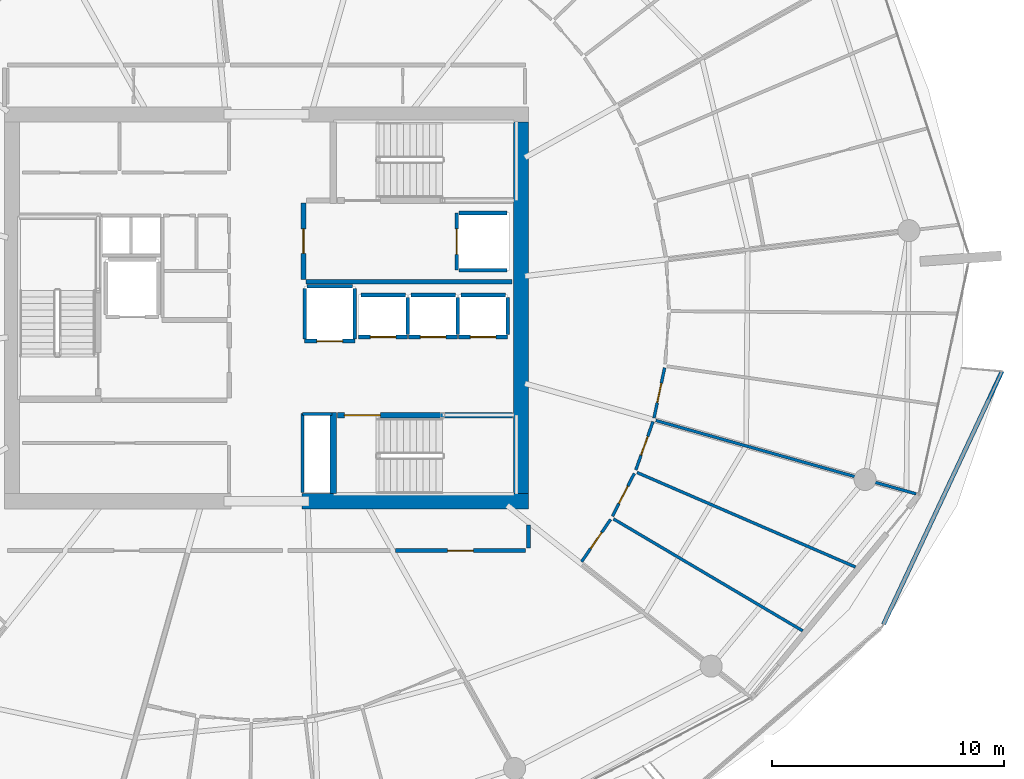
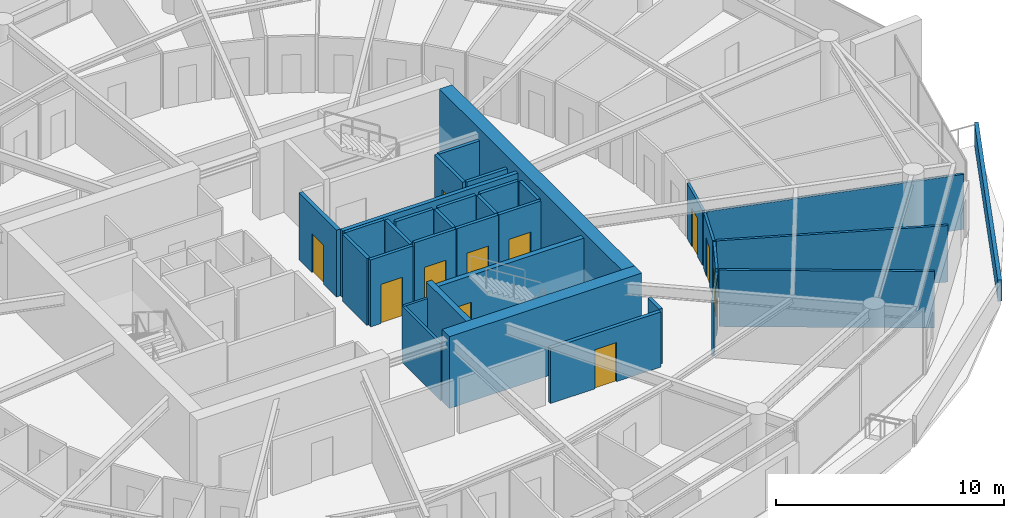
# One storey, part 20 of 30: 34 walls, 12 doors, 12 openings.
"""IFC4 building model written with IfcOpenShell, lengths in metres."""

from ifc_helpers import new_model, si_unit, direction, frame, frame_2d, origin, place, context, subcontext, project, spatial, polyline, rectangle, outline, extrude, material, layer, layer_set, type_object, element, fill, save


model = new_model("IFC4")

# Units and contexts
model_context = context("Model", 3, precision=1e-05, world=origin(), true_north=direction((0.0, 1.0)))
body_context = subcontext(model_context, "Body", "Model", "MODEL_VIEW")
ifc_project = project(units=[si_unit("LENGTHUNIT", "METRE"), si_unit("AREAUNIT", "SQUARE_METRE"), si_unit("VOLUMEUNIT", "CUBIC_METRE"), si_unit("PLANEANGLEUNIT", "RADIAN"), si_unit("MASSUNIT", "GRAM", prefix="KILO")], contexts=[model_context])

# Site, building, storey
site_placement = place(None, origin())
site = spatial("IfcSite", under=ifc_project, at=site_placement, CompositionType="ELEMENT")
building_placement = place(site_placement, origin())
building = spatial("IfcBuilding", under=site, at=building_placement, Name="Kazma Halo Residences", CompositionType="ELEMENT")
storey_placement = place(building_placement, frame((0.0, 0.0, 263.64990234375)))
storey = spatial("IfcBuildingStorey", under=building, at=storey_placement, Name="L66", CompositionType="ELEMENT", Elevation=263.64990234375)

# Walls
ifc_material_1 = material(Name="White Concrete C50/60 Balustrade", Category="concrete")
ifc_layer_1 = layer(ifc_material_1, 0.179931640625)
ifc_layer_set_1 = layer_set([ifc_layer_1], Name="White Concrete C50/60 Balustrade")
wall_type_1 = type_object("IfcWallType", Name="WL-BAL-WAVE-180", PredefinedType="PARAPET", material=ifc_layer_set_1)
wall_1_placement = place(storey_placement, frame((74.98779296875, 28.3837890625, 0.0), z_axis=(0.0, 0.0, 1.0), x_axis=(0.424181665689, 0.905577116812, 0.0)))
element("IfcWall", 1, at=wall_1_placement, inside=storey, type_object=wall_type_1, Name="L66 white wave balustrade wall SE.2", PredefinedType="PARAPET", context=body_context, shape_type="SweptSolid", body=[
    extrude(outline(polyline([(0.0, 0.0), (12.029052734375, 0.0), (12.029296875, 1.22412109375), (6.0146484375, 1.127197265625), (0.0, 1.148193359375), (0.0, 0.0)])), frame((0.0, 0.08984375, 0.0), z_axis=(0.0, -1.0, 0.0), x_axis=(1.0, 0.0, 0.0)), (0.0, 0.0, 1.0), 0.179931640625),
])
ifc_material_2 = material(Name="Concrete C60/75", Category="concrete")
ifc_layer_2 = layer(ifc_material_2, 0.64990234375)
ifc_layer_set_2 = layer_set([ifc_layer_2], Name="Concrete C60/75")
wall_type_2 = type_object("IfcWallType", Name="WL-CORE-650", PredefinedType="SHEAR", material=ifc_layer_set_2)
wall_2_placement = place(storey_placement, frame((49.949951171875, 33.675048828125, 0.0), z_axis=(0.0, 0.0, 1.0), x_axis=(1.0, 0.0, 0.0)))
element("IfcWall", 2, at=wall_2_placement, inside=storey, type_object=wall_type_2, Name="L66 central core shear wall SE", PredefinedType="SHEAR", context=body_context, shape_type="SweptSolid", body=[
    extrude(rectangle(XDim=9.75, YDim=0.64990234375, at=frame_2d((4.875, 0.0))), origin(), (0.0, 0.0, 1.0), 3.85009765625),
])
wall_3_placement = place(storey_placement, frame((59.375, 34.0, 0.0), z_axis=(0.0, 0.0, 1.0), x_axis=(0.0, 1.0, 0.0)))
element("IfcWall", 3, at=wall_3_placement, inside=storey, type_object=wall_type_2, Name="L66 central core shear wall E", PredefinedType="SHEAR", context=body_context, shape_type="SweptSolid", body=[
    extrude(rectangle(XDim=16.0, YDim=0.64990234375, at=frame_2d((8.0, 0.0))), origin(), (0.0, 0.0, 1.0), 3.85009765625),
])
ifc_layer_3 = layer(ifc_material_2, 0.280029296875)
ifc_layer_set_3 = layer_set([ifc_layer_3], Name="Concrete C60/75")
wall_type_3 = type_object("IfcWallType", Name="WL-CORE-ST-280", PredefinedType="SHEAR", material=ifc_layer_set_3)
wall_4_placement = place(storey_placement, frame((51.31005859375, 34.0, 0.0), z_axis=(0.0, 0.0, 1.0), x_axis=(0.0, 1.0, 0.0)))
element("IfcWall", 4, at=wall_4_placement, inside=storey, type_object=wall_type_3, Name="L66 stairwell bearing wall ST03-W", PredefinedType="SHEAR", context=body_context, shape_type="SweptSolid", body=[
    extrude(rectangle(XDim=3.5, YDim=0.280029296875, at=frame_2d((1.75, 0.0))), origin(), (0.0, 0.0, 1.0), 3.85009765625),
])

# Wall, opening, door
ifc_material_3 = material(Name="Acoustic Twin-Stud Gypsum")
ifc_layer_4 = layer(ifc_material_3, 0.179931640625)
ifc_layer_set_4 = layer_set([ifc_layer_4], Name="Acoustic Twin-Stud Gypsum")
wall_type_4 = type_object("IfcWallType", Name="WL-DEM-180", PredefinedType="PARTITIONING", material=ifc_layer_set_4)
wall_5_placement = place(storey_placement, frame((53.972412109375, 31.550048828125, 0.0), z_axis=(0.0, 0.0, 1.0), x_axis=(1.0, 0.0, 0.0)))
wall_5 = element("IfcWall", 5, at=wall_5_placement, inside=storey, type_object=wall_type_4, Name="L66 Apartment 2 entrance corridor wall", PredefinedType="PARTITIONING", context=body_context, shape_type="SweptSolid", body=[
    extrude(rectangle(XDim=5.607666015625, YDim=0.179931640625, at=frame_2d((2.8037109375, 0.0))), origin(), (0.0, 0.0, 1.0), 2.95703125),
])
opening_1_placement = place(wall_5_placement, frame((2.25390625, 0.0, 0.0)))
opening_1 = element("IfcOpeningElement", 6, at=opening_1_placement, cuts=wall_5, Name="Opening DA-1100", PredefinedType="OPENING", context=body_context, shape_type="SweptSolid", body=[
    extrude(rectangle(XDim=1.10009765625, YDim=2.10009765625, at=frame_2d((0.550048828125, 1.050048828125))), frame((0.0, 0.099853515625, 0.0), z_axis=(0.0, -1.0, 0.0), x_axis=(1.0, 0.0, 0.0)), (0.0, 0.0, 1.0), 0.199951171875),
])
ifc_material_4 = material(Name="Acoustic Walnut Fire Leaf")
door_type_1 = type_object("IfcDoorType", Name="DR-FD60-1100", OperationType="NOTDEFINED", PredefinedType="DOOR", material=ifc_material_4)
door_1_placement = place(opening_1_placement, origin())
door_1 = element("IfcDoor", 7, at=door_1_placement, inside=storey, type_object=door_type_1, Name="L66 Apartment 2 entrance fire door", OperationType="SINGLE_SWING_LEFT", OverallHeight=2.10009765625, OverallWidth=1.10009765625, PredefinedType="DOOR", context=body_context, shape_type="SweptSolid", body=[
    extrude(rectangle(XDim=1.10009765625, YDim=2.10009765625, at=frame_2d((0.550048828125, 1.050048828125))), frame((0.0, 0.02490234375, 0.0), z_axis=(0.0, -1.0, 0.0), x_axis=(1.0, 0.0, 0.0)), (0.0, 0.0, 1.0), 0.050048828125),
])
fill(opening_1, door_1)

# Wall
wall_6_placement = place(storey_placement, frame((59.699951171875, 31.669921875, 0.0), z_axis=(0.0, 0.0, 1.0), x_axis=(0.0, 1.0, 0.0)))
element("IfcWall", 8, at=wall_6_placement, inside=storey, type_object=wall_type_4, Name="L66 Apartment 2 entrance corridor wall", PredefinedType="PARTITIONING", context=body_context, shape_type="SweptSolid", body=[
    extrude(rectangle(XDim=0.986572265625, YDim=0.179931640625, at=frame_2d((0.4931640625, 0.0))), origin(), (0.0, 0.0, 1.0), 2.95703125),
])

# Wall, opening, door
ifc_material_5 = material(Name="Fire-Rated Blockwork Masonry", Category="masonry")
ifc_layer_5 = layer(ifc_material_5, 0.199951171875)
ifc_layer_set_5 = layer_set([ifc_layer_5], Name="Fire-Rated Blockwork Masonry")
wall_type_5 = type_object("IfcWallType", Name="WL-FLB-200", PredefinedType="PARTITIONING", material=ifc_layer_set_5)
wall_7_placement = place(storey_placement, frame((54.5048828125, 40.7451171875, 0.0), z_axis=(0.0, 0.0, 1.0), x_axis=(-1.0, 0.0, 0.0)))
wall_7 = element("IfcWall", 9, at=wall_7_placement, inside=storey, type_object=wall_type_5, Name="L66 lift shaft PH-01 front wall", PredefinedType="PARTITIONING", context=body_context, shape_type="SweptSolid", body=[
    extrude(rectangle(XDim=2.10986328125, YDim=0.159912109375, at=frame_2d((1.054931640625, 0.0))), origin(), (0.0, 0.0, 1.0), 3.590087890625),
])
opening_2_placement = place(wall_7_placement, frame((0.5048828125, 0.0, 0.0)))
opening_2 = element("IfcOpeningElement", 10, at=opening_2_placement, cuts=wall_7, Name="Opening LD-PH-01", PredefinedType="OPENING", context=body_context, shape_type="SweptSolid", body=[
    extrude(rectangle(XDim=1.10009765625, YDim=2.10009765625, at=frame_2d((0.550048828125, 1.050048828125))), frame((0.0, 0.08984375, 0.0), z_axis=(0.0, -1.0, 0.0), x_axis=(1.0, 0.0, 0.0)), (0.0, 0.0, 1.0), 0.179931640625),
])
ifc_material_6 = material(Name="Stainless Steel Fire-Rated", Category="steel")
door_type_2 = type_object("IfcDoorType", Name="DR-LIFT-SLD-1100", OperationType="DOUBLE_DOOR_SLIDING", PredefinedType="DOOR", material=ifc_material_6)
door_2_placement = place(opening_2_placement, origin())
door_2 = element("IfcDoor", 11, at=door_2_placement, inside=storey, type_object=door_type_2, Name="L66 lift PH-01 sliding landing door", OperationType="DOUBLE_DOOR_SLIDING", OverallHeight=2.10009765625, OverallWidth=1.10009765625, PredefinedType="DOOR", context=body_context, shape_type="SweptSolid", body=[
    extrude(rectangle(XDim=1.10009765625, YDim=2.10009765625, at=frame_2d((0.550048828125, 1.050048828125))), frame((0.0, 0.02490234375, 0.0), z_axis=(0.0, -1.0, 0.0), x_axis=(1.0, 0.0, 0.0)), (0.0, 0.0, 1.0), 0.050048828125),
])
fill(opening_2, door_2)

# Walls
wall_8_placement = place(storey_placement, frame((54.5048828125, 40.844970703125, 0.0), z_axis=(0.0, 0.0, 1.0), x_axis=(0.0, 1.0, 0.0)))
element("IfcWall", 12, at=wall_8_placement, inside=storey, type_object=wall_type_5, Name="L66 lift shaft PH-01 side wall E", PredefinedType="PARTITIONING", context=body_context, shape_type="SweptSolid", body=[
    extrude(rectangle(XDim=1.610107421875, YDim=0.159912109375, at=frame_2d((0.80517578125, 0.0))), origin(), (0.0, 0.0, 1.0), 3.590087890625),
])
wall_9_placement = place(storey_placement, frame((52.4951171875, 42.554931640625, 0.0), z_axis=(0.0, 0.0, 1.0), x_axis=(1.0, 0.0, 0.0)))
element("IfcWall", 13, at=wall_9_placement, inside=storey, type_object=wall_type_5, Name="L66 lift shaft PH-01 side wall N", PredefinedType="PARTITIONING", context=body_context, shape_type="SweptSolid", body=[
    extrude(rectangle(XDim=1.909912109375, YDim=0.159912109375, at=frame_2d((0.955078125, 0.0))), origin(), (0.0, 0.0, 1.0), 3.590087890625),
])

# Wall, opening, door
wall_10_placement = place(storey_placement, frame((56.655029296875, 40.7451171875, 0.0), z_axis=(0.0, 0.0, 1.0), x_axis=(-1.0, 0.0, 0.0)))
wall_10 = element("IfcWall", 14, at=wall_10_placement, inside=storey, type_object=wall_type_5, Name="L66 lift shaft PH-02 front wall", PredefinedType="PARTITIONING", context=body_context, shape_type="SweptSolid", body=[
    extrude(rectangle(XDim=2.110107421875, YDim=0.159912109375, at=frame_2d((1.05517578125, 0.0))), origin(), (0.0, 0.0, 1.0), 3.590087890625),
])
opening_3_placement = place(wall_10_placement, frame((0.5048828125, 0.0, 0.0)))
opening_3 = element("IfcOpeningElement", 15, at=opening_3_placement, cuts=wall_10, Name="Opening LD-PH-02", PredefinedType="OPENING", context=body_context, shape_type="SweptSolid", body=[
    extrude(rectangle(XDim=1.10009765625, YDim=2.10009765625, at=frame_2d((0.550048828125, 1.050048828125))), frame((0.0, 0.08984375, 0.0), z_axis=(0.0, -1.0, 0.0), x_axis=(1.0, 0.0, 0.0)), (0.0, 0.0, 1.0), 0.179931640625),
])
door_3_placement = place(opening_3_placement, origin())
door_3 = element("IfcDoor", 16, at=door_3_placement, inside=storey, type_object=door_type_2, Name="L66 lift PH-02 sliding landing door", OperationType="DOUBLE_DOOR_SLIDING", OverallHeight=2.10009765625, OverallWidth=1.10009765625, PredefinedType="DOOR", context=body_context, shape_type="SweptSolid", body=[
    extrude(rectangle(XDim=1.10009765625, YDim=2.10009765625, at=frame_2d((0.550048828125, 1.050048828125))), frame((0.0, 0.02490234375, 0.0), z_axis=(0.0, -1.0, 0.0), x_axis=(1.0, 0.0, 0.0)), (0.0, 0.0, 1.0), 0.050048828125),
])
fill(opening_3, door_3)

# Walls
wall_11_placement = place(storey_placement, frame((56.655029296875, 40.844970703125, 0.0), z_axis=(0.0, 0.0, 1.0), x_axis=(0.0, 1.0, 0.0)))
element("IfcWall", 17, at=wall_11_placement, inside=storey, type_object=wall_type_5, Name="L66 lift shaft PH-02 side wall E", PredefinedType="PARTITIONING", context=body_context, shape_type="SweptSolid", body=[
    extrude(rectangle(XDim=1.610107421875, YDim=0.159912109375, at=frame_2d((0.80517578125, 0.0))), origin(), (0.0, 0.0, 1.0), 3.590087890625),
])
wall_12_placement = place(storey_placement, frame((54.64501953125, 42.554931640625, 0.0), z_axis=(0.0, 0.0, 1.0), x_axis=(1.0, 0.0, 0.0)))
element("IfcWall", 18, at=wall_12_placement, inside=storey, type_object=wall_type_5, Name="L66 lift shaft PH-02 side wall N", PredefinedType="PARTITIONING", context=body_context, shape_type="SweptSolid", body=[
    extrude(rectangle(XDim=1.909912109375, YDim=0.159912109375, at=frame_2d((0.955078125, 0.0))), origin(), (0.0, 0.0, 1.0), 3.590087890625),
])

# Wall, opening, door
wall_13_placement = place(storey_placement, frame((58.804931640625, 40.7451171875, 0.0), z_axis=(0.0, 0.0, 1.0), x_axis=(-1.0, 0.0, 0.0)))
wall_13 = element("IfcWall", 19, at=wall_13_placement, inside=storey, type_object=wall_type_5, Name="L66 lift shaft PH-03 front wall", PredefinedType="PARTITIONING", context=body_context, shape_type="SweptSolid", body=[
    extrude(rectangle(XDim=2.10986328125, YDim=0.159912109375, at=frame_2d((1.054931640625, 0.0))), origin(), (0.0, 0.0, 1.0), 3.590087890625),
])
opening_4_placement = place(wall_13_placement, frame((0.5048828125, 0.0, 0.0)))
opening_4 = element("IfcOpeningElement", 20, at=opening_4_placement, cuts=wall_13, Name="Opening LD-PH-03", PredefinedType="OPENING", context=body_context, shape_type="SweptSolid", body=[
    extrude(rectangle(XDim=1.10009765625, YDim=2.10009765625, at=frame_2d((0.550048828125, 1.050048828125))), frame((0.0, 0.08984375, 0.0), z_axis=(0.0, -1.0, 0.0), x_axis=(1.0, 0.0, 0.0)), (0.0, 0.0, 1.0), 0.179931640625),
])
door_4_placement = place(opening_4_placement, origin())
door_4 = element("IfcDoor", 21, at=door_4_placement, inside=storey, type_object=door_type_2, Name="L66 lift PH-03 sliding landing door", OperationType="DOUBLE_DOOR_SLIDING", OverallHeight=2.10009765625, OverallWidth=1.10009765625, PredefinedType="DOOR", context=body_context, shape_type="SweptSolid", body=[
    extrude(rectangle(XDim=1.10009765625, YDim=2.10009765625, at=frame_2d((0.550048828125, 1.050048828125))), frame((0.0, 0.02490234375, 0.0), z_axis=(0.0, -1.0, 0.0), x_axis=(1.0, 0.0, 0.0)), (0.0, 0.0, 1.0), 0.050048828125),
])
fill(opening_4, door_4)

# Walls
wall_14_placement = place(storey_placement, frame((58.804931640625, 40.844970703125, 0.0), z_axis=(0.0, 0.0, 1.0), x_axis=(0.0, 1.0, 0.0)))
element("IfcWall", 22, at=wall_14_placement, inside=storey, type_object=wall_type_5, Name="L66 lift shaft PH-03 side wall E", PredefinedType="PARTITIONING", context=body_context, shape_type="SweptSolid", body=[
    extrude(rectangle(XDim=1.610107421875, YDim=0.159912109375, at=frame_2d((0.80517578125, 0.0))), origin(), (0.0, 0.0, 1.0), 3.590087890625),
])
wall_15_placement = place(storey_placement, frame((56.794921875, 42.554931640625, 0.0), z_axis=(0.0, 0.0, 1.0), x_axis=(1.0, 0.0, 0.0)))
element("IfcWall", 23, at=wall_15_placement, inside=storey, type_object=wall_type_5, Name="L66 lift shaft PH-03 side wall N", PredefinedType="PARTITIONING", context=body_context, shape_type="SweptSolid", body=[
    extrude(rectangle(XDim=1.91015625, YDim=0.159912109375, at=frame_2d((0.955078125, 0.0))), origin(), (0.0, 0.0, 1.0), 3.590087890625),
])

# Wall, opening, door
wall_16_placement = place(storey_placement, frame((56.6201171875, 46.080078125, 0.0), z_axis=(0.0, 0.0, 1.0), x_axis=(0.0, -1.0, 0.0)))
wall_16 = element("IfcWall", 24, at=wall_16_placement, inside=storey, type_object=wall_type_5, Name="L66 lift shaft FL-02 front wall", PredefinedType="PARTITIONING", context=body_context, shape_type="SweptSolid", body=[
    extrude(rectangle(XDim=2.4599609375, YDim=0.159912109375, at=frame_2d((1.22998046875, 0.0))), origin(), (0.0, 0.0, 1.0), 3.590087890625),
])
opening_5_placement = place(wall_16_placement, frame((0.679931640625, 0.0, 0.0)))
opening_5 = element("IfcOpeningElement", 25, at=opening_5_placement, cuts=wall_16, Name="Opening LD-FL-02", PredefinedType="OPENING", context=body_context, shape_type="SweptSolid", body=[
    extrude(rectangle(XDim=1.10009765625, YDim=2.10009765625, at=frame_2d((0.550048828125, 1.050048828125))), frame((0.0, 0.08984375, 0.0), z_axis=(0.0, -1.0, 0.0), x_axis=(1.0, 0.0, 0.0)), (0.0, 0.0, 1.0), 0.179931640625),
])
door_5_placement = place(opening_5_placement, origin())
door_5 = element("IfcDoor", 26, at=door_5_placement, inside=storey, type_object=door_type_2, Name="L66 lift FL-02 sliding landing door", OperationType="DOUBLE_DOOR_SLIDING", OverallHeight=2.10009765625, OverallWidth=1.10009765625, PredefinedType="DOOR", context=body_context, shape_type="SweptSolid", body=[
    extrude(rectangle(XDim=1.10009765625, YDim=2.10009765625, at=frame_2d((0.550048828125, 1.050048828125))), frame((0.0, 0.02490234375, 0.0), z_axis=(0.0, -1.0, 0.0), x_axis=(1.0, 0.0, 0.0)), (0.0, 0.0, 1.0), 0.050048828125),
])
fill(opening_5, door_5)

# Walls
for number, where, z_axis, x_axis, name in (
    (27, (56.719970703125, 46.080078125, 0.0), (0.0, 0.0, 1.0), (1.0, 0.0, 0.0), "L66 lift shaft FL-02 side wall N"),
    (28, (56.719970703125, 43.6201171875, 0.0), (0.0, 0.0, 1.0), (1.0, 0.0, 0.0), "L66 lift shaft FL-02 side wall S"),
):
    element("IfcWall", number, at=place(storey_placement, frame(where, z_axis=z_axis, x_axis=x_axis)), inside=storey, type_object=wall_type_5, Name=name, PredefinedType="PARTITIONING", context=body_context, shape_type="SweptSolid", body=[
        extrude(rectangle(XDim=2.06005859375, YDim=0.159912109375, at=frame_2d((1.030029296875, 0.0))), origin(), (0.0, 0.0, 1.0), 3.590087890625),
    ])

# Wall, opening, door
wall_17_placement = place(storey_placement, frame((52.22998046875, 40.570068359375, 0.0), z_axis=(0.0, 0.0, 1.0), x_axis=(-1.0, 0.0, 0.0)))
wall_17 = element("IfcWall", 29, at=wall_17_placement, inside=storey, type_object=wall_type_5, Name="L66 lift shaft SV-01 front wall", PredefinedType="PARTITIONING", context=body_context, shape_type="SweptSolid", body=[
    extrude(rectangle(XDim=2.159912109375, YDim=0.159912109375, at=frame_2d((1.080078125, 0.0))), origin(), (0.0, 0.0, 1.0), 3.590087890625),
])
opening_6_placement = place(wall_17_placement, frame((0.530029296875, 0.0, 0.0)))
opening_6 = element("IfcOpeningElement", 30, at=opening_6_placement, cuts=wall_17, Name="Opening LD-SV-01", PredefinedType="OPENING", context=body_context, shape_type="SweptSolid", body=[
    extrude(rectangle(XDim=1.10009765625, YDim=2.10009765625, at=frame_2d((0.550048828125, 1.050048828125))), frame((0.0, 0.08984375, 0.0), z_axis=(0.0, -1.0, 0.0), x_axis=(1.0, 0.0, 0.0)), (0.0, 0.0, 1.0), 0.179931640625),
])
door_6_placement = place(opening_6_placement, origin())
door_6 = element("IfcDoor", 31, at=door_6_placement, inside=storey, type_object=door_type_2, Name="L66 lift SV-01 sliding landing door", OperationType="DOUBLE_DOOR_SLIDING", OverallHeight=2.10009765625, OverallWidth=1.10009765625, PredefinedType="DOOR", context=body_context, shape_type="SweptSolid", body=[
    extrude(rectangle(XDim=1.10009765625, YDim=2.10009765625, at=frame_2d((0.550048828125, 1.050048828125))), frame((0.0, 0.02490234375, 0.0), z_axis=(0.0, -1.0, 0.0), x_axis=(1.0, 0.0, 0.0)), (0.0, 0.0, 1.0), 0.050048828125),
])
fill(opening_6, door_6)

# Walls
for number, where, z_axis, x_axis, name in (
    (32, (52.22998046875, 40.669921875, 0.0), (0.0, 0.0, 1.0), (0.0, 1.0, 0.0), "L66 lift shaft SV-01 side wall E"),
    (33, (50.070068359375, 40.669921875, 0.0), (0.0, 0.0, 1.0), (0.0, 1.0, 0.0), "L66 lift shaft SV-01 side wall W"),
):
    element("IfcWall", number, at=place(storey_placement, frame(where, z_axis=z_axis, x_axis=x_axis)), inside=storey, type_object=wall_type_5, Name=name, PredefinedType="PARTITIONING", context=body_context, shape_type="SweptSolid", body=[
        extrude(rectangle(XDim=2.16015625, YDim=0.159912109375, at=frame_2d((1.080078125, 0.0))), origin(), (0.0, 0.0, 1.0), 3.590087890625),
    ])
wall_18_placement = place(storey_placement, frame((50.169921875, 42.929931640625, 0.0), z_axis=(0.0, 0.0, 1.0), x_axis=(1.0, 0.0, 0.0)))
element("IfcWall", 34, at=wall_18_placement, inside=storey, type_object=wall_type_5, Name="L66 lift shaft SV-01 side wall N", PredefinedType="PARTITIONING", context=body_context, shape_type="SweptSolid", body=[
    extrude(rectangle(XDim=1.9599609375, YDim=0.159912109375, at=frame_2d((0.97998046875, 0.0))), origin(), (0.0, 0.0, 1.0), 3.590087890625),
])
wall_19_placement = place(storey_placement, frame((50.1201171875, 43.1201171875, 0.0), z_axis=(0.0, 0.0, 1.0), x_axis=(1.0, 0.0, 0.0)))
element("IfcWall", 35, at=wall_19_placement, inside=storey, type_object=wall_type_5, Name="L66 east firefighting lobby south smoke wall", PredefinedType="PARTITIONING", context=body_context, shape_type="SweptSolid", body=[
    extrude(rectangle(XDim=8.8798828125, YDim=0.199951171875, at=frame_2d((4.43994140625, 0.0))), origin(), (0.0, 0.0, 1.0), 3.590087890625),
])

# Wall, opening, door
wall_20_placement = place(storey_placement, frame((50.02001953125, 43.219970703125, 0.0), z_axis=(0.0, 0.0, 1.0), x_axis=(0.0, 1.0, 0.0)))
wall_20 = element("IfcWall", 36, at=wall_20_placement, inside=storey, type_object=wall_type_5, Name="L66 east firefighting lobby smoke wall", PredefinedType="PARTITIONING", context=body_context, shape_type="SweptSolid", body=[
    extrude(rectangle(XDim=3.300048828125, YDim=0.199951171875, at=frame_2d((1.64990234375, 0.0))), origin(), (0.0, 0.0, 1.0), 3.590087890625),
])
opening_7_placement = place(wall_20_placement, frame((1.125, 0.0, 0.0)))
opening_7 = element("IfcOpeningElement", 37, at=opening_7_placement, cuts=wall_20, Name="Opening D-FLE", PredefinedType="OPENING", context=body_context, shape_type="SweptSolid", body=[
    extrude(rectangle(XDim=1.050048828125, YDim=2.10009765625, at=frame_2d((0.52490234375, 1.050048828125))), frame((0.0, 0.10986328125, 0.0), z_axis=(0.0, -1.0, 0.0), x_axis=(1.0, 0.0, 0.0)), (0.0, 0.0, 1.0), 0.219970703125),
])
ifc_material_7 = material(Name="Fire-Rated Steel Leaf", Category="steel")
door_type_3 = type_object("IfcDoorType", Name="DR-FD90-1050", OperationType="NOTDEFINED", PredefinedType="DOOR", material=ifc_material_7)
door_7_placement = place(opening_7_placement, origin())
door_7 = element("IfcDoor", 38, at=door_7_placement, inside=storey, type_object=door_type_3, Name="L66 east firefighting lobby smoke door", OperationType="SINGLE_SWING_RIGHT", OverallHeight=2.10009765625, OverallWidth=1.050048828125, PredefinedType="DOOR", context=body_context, shape_type="SweptSolid", body=[
    extrude(rectangle(XDim=1.050048828125, YDim=2.10009765625, at=frame_2d((0.52490234375, 1.050048828125))), frame((0.0, 0.02490234375, 0.0), z_axis=(0.0, -1.0, 0.0), x_axis=(1.0, 0.0, 0.0)), (0.0, 0.0, 1.0), 0.050048828125),
])
fill(opening_7, door_7)

# Walls
ifc_material_8 = material(Name="Gypsum Plasterboard Partition")
ifc_layer_6 = layer(ifc_material_8, 0.125)
ifc_layer_set_6 = layer_set([ifc_layer_6], Name="Gypsum Plasterboard Partition")
wall_type_6 = type_object("IfcWallType", Name="WL-PART-125", PredefinedType="PARTITIONING", material=ifc_layer_set_6)
wall_21_placement = place(storey_placement, frame((49.97998046875, 34.06005859375, 0.0), z_axis=(0.0, 0.0, 1.0), x_axis=(0.0, 1.0, 0.0)))
element("IfcWall", 39, at=wall_21_placement, inside=storey, type_object=wall_type_6, Name="L66 standpipe riser wall", PredefinedType="PARTITIONING", context=body_context, shape_type="SweptSolid", body=[
    extrude(rectangle(XDim=3.39990234375, YDim=0.125, at=frame_2d((1.699951171875, 0.0))), origin(), (0.0, 0.0, 1.0), 3.030029296875),
])
wall_22_placement = place(storey_placement, frame((49.97998046875, 37.43994140625, 0.0), z_axis=(0.0, 0.0, 1.0), x_axis=(1.0, 0.0, 0.0)))
element("IfcWall", 40, at=wall_22_placement, inside=storey, type_object=wall_type_6, Name="L66 standpipe riser north wall", PredefinedType="PARTITIONING", context=body_context, shape_type="SweptSolid", body=[
    extrude(rectangle(XDim=1.260009765625, YDim=0.125, at=frame_2d((0.6298828125, 0.0))), origin(), (0.0, 0.0, 1.0), 3.030029296875),
])
wall_23_placement = place(storey_placement, frame((63.36181640625, 32.915283203125, 0.0), z_axis=(0.0, 0.0, 1.0), x_axis=(0.860726173163, -0.509068222178, 0.0)))
element("IfcWall", 41, at=wall_23_placement, inside=storey, type_object=wall_type_6, Name="L66 Apartment 2 bay wall 1 13", PredefinedType="PARTITIONING", context=body_context, shape_type="SweptSolid", body=[
    extrude(rectangle(XDim=9.464111328125, YDim=0.125, at=frame_2d((4.73193359375, 0.0))), origin(), (0.0, 0.0, 1.0), 3.030029296875),
])
wall_24_placement = place(storey_placement, frame((64.379150390625, 34.912109375, 0.0), z_axis=(0.0, 0.0, 1.0), x_axis=(0.917754922423, -0.397147204912, 0.0)))
element("IfcWall", 42, at=wall_24_placement, inside=storey, type_object=wall_type_6, Name="L66 Apartment 2 bay wall 2 13", PredefinedType="PARTITIONING", context=body_context, shape_type="SweptSolid", body=[
    extrude(rectangle(XDim=10.243408203125, YDim=0.125, at=frame_2d((5.12158203125, 0.0))), origin(), (0.0, 0.0, 1.0), 3.030029296875),
])

# Wall, opening, door
wall_25_placement = place(storey_placement, frame((61.989990234375, 31.07275390625, 0.0), z_axis=(0.0, 0.0, 1.0), x_axis=(0.565365127096, 0.824840756185, 0.0)))
wall_25 = element("IfcWall", 43, at=wall_25_placement, inside=storey, type_object=wall_type_6, Name="L66 Apartment 2 North Bedroom hall wall", PredefinedType="PARTITIONING", context=body_context, shape_type="SweptSolid", body=[
    extrude(rectangle(XDim=2.209228515625, YDim=0.125, at=frame_2d((1.1044921875, 0.0))), origin(), (0.0, 0.0, 1.0), 2.95703125),
])
opening_8_placement = place(wall_25_placement, frame((0.6796875, 0.0, 0.0)))
opening_8 = element("IfcOpeningElement", 44, at=opening_8_placement, cuts=wall_25, Name="Opening DB-900", PredefinedType="OPENING", context=body_context, shape_type="SweptSolid", body=[
    extrude(rectangle(XDim=0.85009765625, YDim=2.06005859375, at=frame_2d((0.425048828125, 1.030029296875))), frame((0.0, 0.072509765625, 0.0), z_axis=(0.0, -1.0, 0.0), x_axis=(1.0, 0.0, 0.0)), (0.0, 0.0, 1.0), 0.14501953125),
])
ifc_material_9 = material(Name="Moisture-Sealed Timber Leaf", Category="wood")
door_type_4 = type_object("IfcDoorType", Name="DR-BTH-900", OperationType="NOTDEFINED", PredefinedType="DOOR", material=ifc_material_9)
door_8_placement = place(opening_8_placement, origin())
door_8 = element("IfcDoor", 45, at=door_8_placement, inside=storey, type_object=door_type_4, Name="L66 Apartment 2 North Bedroom door", OperationType="SINGLE_SWING_LEFT", OverallHeight=2.06005859375, OverallWidth=0.85009765625, PredefinedType="DOOR", context=body_context, shape_type="SweptSolid", body=[
    extrude(rectangle(XDim=0.85009765625, YDim=2.06005859375, at=frame_2d((0.425048828125, 1.030029296875))), frame((0.0, 0.02490234375, 0.0), z_axis=(0.0, -1.0, 0.0), x_axis=(1.0, 0.0, 0.0)), (0.0, 0.0, 1.0), 0.050048828125),
])
fill(opening_8, door_8)

wall_26_placement = place(storey_placement, frame((63.320556640625, 33.0322265625, 0.0), z_axis=(0.0, 0.0, 1.0), x_axis=(0.453994690579, 0.891004388837, 0.0)))
wall_26 = element("IfcWall", 46, at=wall_26_placement, inside=storey, type_object=wall_type_6, Name="L66 Apartment 2 South Laundry Room hall wall", PredefinedType="PARTITIONING", context=body_context, shape_type="SweptSolid", body=[
    extrude(rectangle(XDim=2.06982421875, YDim=0.125, at=frame_2d((1.034912109375, 0.0))), origin(), (0.0, 0.0, 1.0), 3.030029296875),
])
opening_9_placement = place(wall_26_placement, frame((0.60986328125, 0.0, 0.0)))
opening_9 = element("IfcOpeningElement", 47, at=opening_9_placement, cuts=wall_26, Name="Opening DB-900", PredefinedType="OPENING", context=body_context, shape_type="SweptSolid", body=[
    extrude(rectangle(XDim=0.85009765625, YDim=2.06005859375, at=frame_2d((0.425048828125, 1.030029296875))), frame((0.0, 0.072509765625, 0.0), z_axis=(0.0, -1.0, 0.0), x_axis=(1.0, 0.0, 0.0)), (0.0, 0.0, 1.0), 0.14501953125),
])
door_9_placement = place(opening_9_placement, origin())
door_9 = element("IfcDoor", 48, at=door_9_placement, inside=storey, type_object=door_type_4, Name="L66 Apartment 2 South Laundry Room door", OperationType="SINGLE_SWING_RIGHT", OverallHeight=2.06005859375, OverallWidth=0.85009765625, PredefinedType="DOOR", context=body_context, shape_type="SweptSolid", body=[
    extrude(rectangle(XDim=0.85009765625, YDim=2.06005859375, at=frame_2d((0.425048828125, 1.030029296875))), frame((0.0, 0.02490234375, 0.0), z_axis=(0.0, -1.0, 0.0), x_axis=(1.0, 0.0, 0.0)), (0.0, 0.0, 1.0), 0.050048828125),
])
fill(opening_9, door_9)

wall_27_placement = place(storey_placement, frame((64.323486328125, 35.023193359375, 0.0), z_axis=(0.0, 0.0, 1.0), x_axis=(0.334998765423, 0.942218566557, 0.0)))
wall_27 = element("IfcWall", 49, at=wall_27_placement, inside=storey, type_object=wall_type_6, Name="L66 Apartment 2 Inner Bedroom hall wall", PredefinedType="PARTITIONING", context=body_context, shape_type="SweptSolid", body=[
    extrude(rectangle(XDim=2.208984375, YDim=0.125, at=frame_2d((1.1044921875, 0.0))), origin(), (0.0, 0.0, 1.0), 2.95703125),
])
opening_10_placement = place(wall_27_placement, frame((0.679443359375, 0.0, 0.0)))
opening_10 = element("IfcOpeningElement", 50, at=opening_10_placement, cuts=wall_27, Name="Opening DB-900", PredefinedType="OPENING", context=body_context, shape_type="SweptSolid", body=[
    extrude(rectangle(XDim=0.85009765625, YDim=2.06005859375, at=frame_2d((0.425048828125, 1.030029296875))), frame((0.0, 0.072509765625, 0.0), z_axis=(0.0, -1.0, 0.0), x_axis=(1.0, 0.0, 0.0)), (0.0, 0.0, 1.0), 0.14501953125),
])
door_10_placement = place(opening_10_placement, origin())
door_10 = element("IfcDoor", 51, at=door_10_placement, inside=storey, type_object=door_type_4, Name="L66 Apartment 2 Inner Bedroom door", OperationType="SINGLE_SWING_LEFT", OverallHeight=2.06005859375, OverallWidth=0.85009765625, PredefinedType="DOOR", context=body_context, shape_type="SweptSolid", body=[
    extrude(rectangle(XDim=0.85009765625, YDim=2.06005859375, at=frame_2d((0.425048828125, 1.030029296875))), frame((0.0, 0.02490234375, 0.0), z_axis=(0.0, -1.0, 0.0), x_axis=(1.0, 0.0, 0.0)), (0.0, 0.0, 1.0), 0.050048828125),
])
fill(opening_10, door_10)

# Wall
wall_28_placement = place(storey_placement, frame((65.1865234375, 37.15283203125, 0.0), z_axis=(0.0, 0.0, 1.0), x_axis=(0.962455577867, -0.271439239301, 0.0)))
element("IfcWall", 52, at=wall_28_placement, inside=storey, type_object=wall_type_6, Name="L66 Apartment 2 radial partition 14", PredefinedType="PARTITIONING", context=body_context, shape_type="SweptSolid", body=[
    extrude(rectangle(XDim=11.638671875, YDim=0.125, at=frame_2d((5.8193359375, 0.0))), origin(), (0.0, 0.0, 1.0), 2.95703125),
])

# Wall, opening, door
wall_29_placement = place(storey_placement, frame((65.106689453125, 37.25830078125, 0.0), z_axis=(0.0, 0.0, 1.0), x_axis=(0.20677346991, 0.978388845062, 0.0)))
wall_29 = element("IfcWall", 53, at=wall_29_placement, inside=storey, type_object=wall_type_6, Name="L66 Apartment 2 Outer Master Bedroom hall wall", PredefinedType="PARTITIONING", context=body_context, shape_type="SweptSolid", body=[
    extrude(rectangle(XDim=2.209228515625, YDim=0.125, at=frame_2d((1.1044921875, 0.0))), origin(), (0.0, 0.0, 1.0), 2.95703125),
])
opening_11_placement = place(wall_29_placement, frame((0.6796875, 0.0, 0.0)))
opening_11 = element("IfcOpeningElement", 54, at=opening_11_placement, cuts=wall_29, Name="Opening DB-900", PredefinedType="OPENING", context=body_context, shape_type="SweptSolid", body=[
    extrude(rectangle(XDim=0.85009765625, YDim=2.06005859375, at=frame_2d((0.425048828125, 1.030029296875))), frame((0.0, 0.072509765625, 0.0), z_axis=(0.0, -1.0, 0.0), x_axis=(1.0, 0.0, 0.0)), (0.0, 0.0, 1.0), 0.14501953125),
])
door_11_placement = place(opening_11_placement, origin())
door_11 = element("IfcDoor", 55, at=door_11_placement, inside=storey, type_object=door_type_4, Name="L66 Apartment 2 Outer Master Bedroom door", OperationType="SINGLE_SWING_RIGHT", OverallHeight=2.06005859375, OverallWidth=0.85009765625, PredefinedType="DOOR", context=body_context, shape_type="SweptSolid", body=[
    extrude(rectangle(XDim=0.85009765625, YDim=2.06005859375, at=frame_2d((0.425048828125, 1.030029296875))), frame((0.0, 0.02490234375, 0.0), z_axis=(0.0, -1.0, 0.0), x_axis=(1.0, 0.0, 0.0)), (0.0, 0.0, 1.0), 0.050048828125),
])
fill(opening_11, door_11)

ifc_material_10 = material(Name="Concrete C50/60", Category="concrete")
ifc_layer_7 = layer(ifc_material_10, 0.25)
ifc_layer_set_7 = layer_set([ifc_layer_7], Name="Concrete C50/60")
wall_type_7 = type_object("IfcWallType", Name="WL-SHF-250", PredefinedType="SOLIDWALL", material=ifc_layer_set_7)
wall_30_placement = place(storey_placement, frame((51.47998046875, 37.3798828125, 0.0), z_axis=(0.0, 0.0, 1.0), x_axis=(1.0, 0.0, 0.0)))
wall_30 = element("IfcWall", 56, at=wall_30_placement, inside=storey, type_object=wall_type_7, Name="L66 exit stair ST-03 enclosure wall", PredefinedType="SOLIDWALL", context=body_context, shape_type="SweptSolid", body=[
    extrude(rectangle(XDim=7.5400390625, YDim=0.25, at=frame_2d((3.77001953125, 0.0))), origin(), (0.0, 0.0, 1.0), 3.590087890625),
])
opening_12_placement = place(wall_30_placement, frame((0.300048828125, 0.0, 0.0)))
opening_12 = element("IfcOpeningElement", 57, at=opening_12_placement, cuts=wall_30, Name="Opening D-ST3", PredefinedType="OPENING", context=body_context, shape_type="SweptSolid", body=[
    extrude(rectangle(XDim=1.550048828125, YDim=2.14990234375, at=frame_2d((0.77490234375, 1.074951171875))), frame((0.0, 0.135009765625, 0.0), z_axis=(0.0, -1.0, 0.0), x_axis=(1.0, 0.0, 0.0)), (0.0, 0.0, 1.0), 0.27001953125),
])
ifc_material_11 = material(Name="Fire-Rated Double Steel Leaf", Category="steel")
door_type_5 = type_object("IfcDoorType", Name="DR-FD90-1550", OperationType="NOTDEFINED", PredefinedType="DOOR", material=ifc_material_11)
door_12_placement = place(opening_12_placement, origin())
door_12 = element("IfcDoor", 58, at=door_12_placement, inside=storey, type_object=door_type_5, Name="L66 exit stair ST-03 fire door", OperationType="DOUBLE_DOOR_SINGLE_SWING", OverallHeight=2.14990234375, OverallWidth=1.550048828125, PredefinedType="DOOR", context=body_context, shape_type="SweptSolid", body=[
    extrude(rectangle(XDim=1.550048828125, YDim=2.14990234375, at=frame_2d((0.77490234375, 1.074951171875))), frame((0.0, 0.02490234375, 0.0), z_axis=(0.0, -1.0, 0.0), x_axis=(1.0, 0.0, 0.0)), (0.0, 0.0, 1.0), 0.050048828125),
])
fill(opening_12, door_12)

save(model, "model.ifc")
